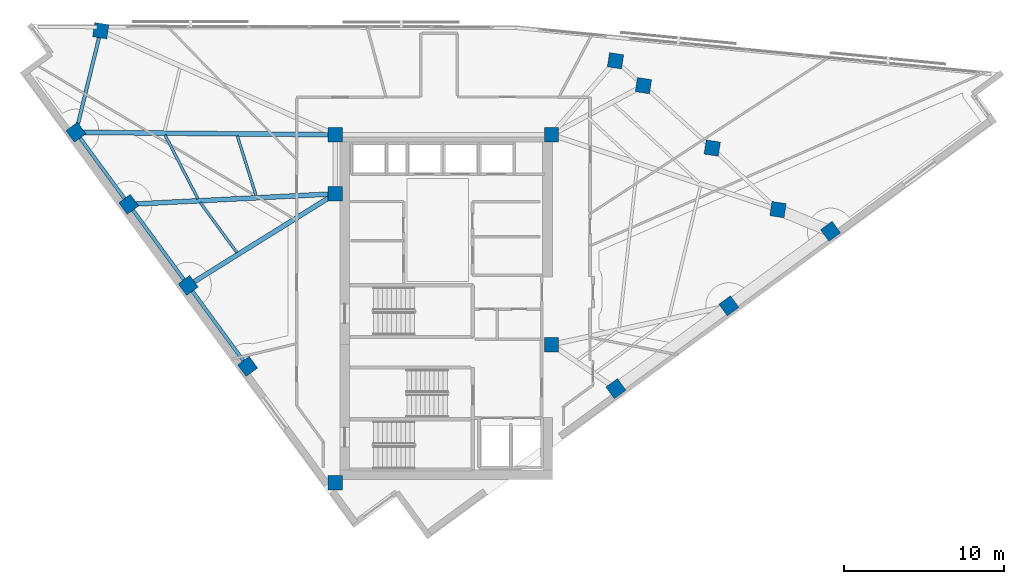
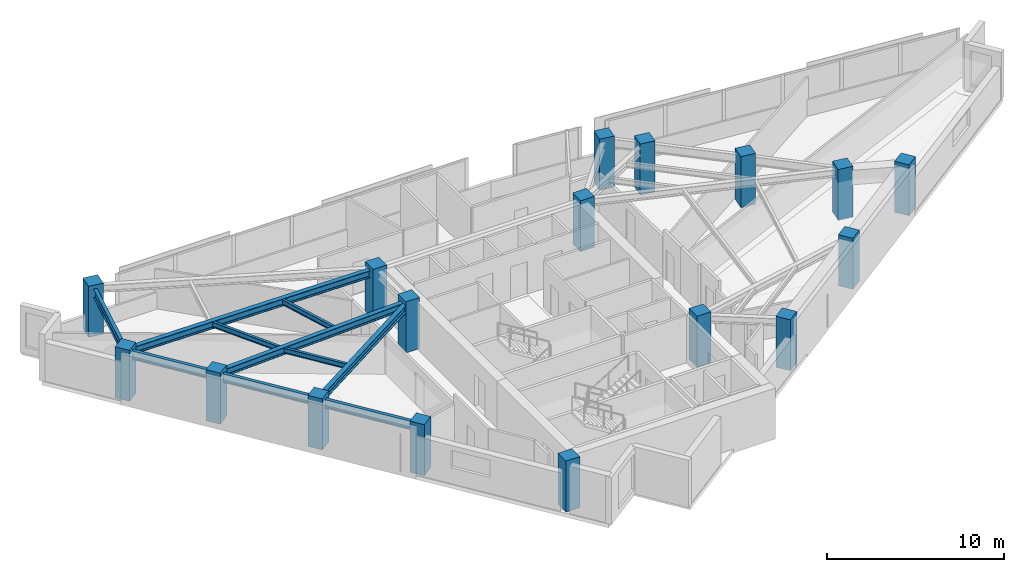
# One storey, part 1 of 14: 17 columns, 10 beams.
"""IFC4 building model written with IfcOpenShell, lengths in metres."""

from ifc_helpers import new_model, si_unit, direction, frame, origin, origin_2d, place, context, subcontext, project, spatial, rectangle, i_section, extrude, material, material_profile, profile_set, type_object, element, save


model = new_model("IFC4")

# Units and contexts
model_context = context("Model", 3, precision=1e-05, world=origin(), true_north=direction((0.0, 1.0)))
body_context = subcontext(model_context, "Body", "Model", "MODEL_VIEW")
ifc_project = project(units=[si_unit("LENGTHUNIT", "METRE"), si_unit("AREAUNIT", "SQUARE_METRE"), si_unit("VOLUMEUNIT", "CUBIC_METRE"), si_unit("PLANEANGLEUNIT", "RADIAN"), si_unit("MASSUNIT", "GRAM", prefix="KILO")], contexts=[model_context])

# Site, building, storey
site_placement = place(None, origin())
site = spatial("IfcSite", under=ifc_project, at=site_placement, CompositionType="ELEMENT")
building_placement = place(site_placement, origin())
building = spatial("IfcBuilding", under=site, at=building_placement, Name="Narakoshi Arena Tower", CompositionType="ELEMENT")
storey_placement = place(building_placement, frame((0.0, 0.0, 236.10009765625)))
storey = spatial("IfcBuildingStorey", under=building, at=storey_placement, Name="L64", CompositionType="ELEMENT", Elevation=236.10009765625)

# Columns
ifc_material_1 = material(Name="Concrete C50/60", Category="concrete")
ifc_material_profile_1 = material_profile(ifc_material_1, rectangle(XDim=0.89990234375, YDim=0.89990234375, at=origin_2d()), Name="RC900x900")
ifc_profile_set_1 = profile_set([ifc_material_profile_1], Name="Concrete C50/60")
column_type = type_object("IfcColumnType", Name="COL-RC900", PredefinedType="COLUMN", material=ifc_profile_set_1)
for number, where, z_axis, x_axis, name in (
    (1, (72.0, 34.699951171875, 0.0), (0.0, 0.0, 1.0), (1.0, 0.0, 0.0), "L64 Core Structural Column CC1"),
    (2, (85.550048828125, 43.35009765625, 0.0), (0.0, 0.0, 1.0), (1.0, 0.0, 0.0), "L64 Core Structural Column CC3"),
    (3, (72.0, 52.800048828125, 0.0), (0.0, 0.0, 1.0), (1.0, 0.0, 0.0), "L64 Core Structural Column CC4"),
    (4, (72.0, 56.5, 0.0), (0.0, 0.0, 1.0), (1.0, 0.0, 0.0), "L64 Core Structural Column CC5"),
    (5, (85.550048828125, 56.5, 0.0), (0.0, 0.0, 1.0), (1.0, 0.0, 0.0), "L64 Core Structural Column CC6"),
    (6, (89.58642578125, 40.594482421875, 0.0), (0.0, 0.0, 1.0), (0.806444604267, 0.591309648364, 0.0), "L64 Tower Perimeter Column TC01"),
    (7, (96.663330078125, 45.783447265625, 0.0), (0.0, 0.0, 1.0), (0.806444604267, 0.591309648364, 0.0), "L64 Tower Perimeter Column TC02"),
    (8, (103.032470703125, 50.45361328125, 0.0), (0.0, 0.0, 1.0), (0.806444604267, 0.591309648364, 0.0), "L64 Tower Perimeter Column TC03"),
    (9, (99.74267578125, 51.80712890625, 0.0), (0.0, 0.0, 1.0), (0.15212338619, 0.988361510468, 0.0), "L64 Tower Perimeter Column TC05"),
    (10, (95.619384765625, 55.665283203125, 0.0), (0.0, 0.0, 1.0), (0.15212338619, 0.988361510468, 0.0), "L64 Tower Perimeter Column TC06"),
    (11, (91.311279296875, 59.576416015625, 0.0), (0.0, 0.0, 1.0), (0.15212338619, 0.988361510468, 0.0), "L64 Tower Perimeter Column TC07"),
    (12, (89.5615234375, 61.134765625, 0.0), (0.0, 0.0, 1.0), (0.15212338619, 0.988361510468, 0.0), "L64 Tower Perimeter Column TC08"),
    (13, (57.30908203125, 63.0205078125, 0.0), (0.0, 0.0, 1.0), (0.15212338619, 0.988361510468, 0.0), "L64 Tower Perimeter Column TC10"),
    (14, (55.75341796875, 56.654296875, 0.0), (0.0, 0.0, 1.0), (-0.591309648364, 0.806444604267, 0.0), "L64 Tower Perimeter Column TC13"),
    (15, (59.063232421875, 52.140380859375, 0.0), (0.0, 0.0, 1.0), (-0.591309648364, 0.806444604267, 0.0), "L64 Tower Perimeter Column TC14"),
    (16, (62.786865234375, 47.061767578125, 0.0), (0.0, 0.0, 1.0), (-0.591309648364, 0.806444604267, 0.0), "L64 Tower Perimeter Column TC15"),
    (17, (66.510498046875, 41.9833984375, 0.0), (0.0, 0.0, 1.0), (-0.591309648364, 0.806444604267, 0.0), "L64 Tower Perimeter Column TC16"),
):
    element("IfcColumn", number, at=place(storey_placement, frame(where, z_axis=z_axis, x_axis=x_axis)), inside=storey, type_object=column_type, Name=name, PredefinedType="COLUMN", context=body_context, shape_type="SweptSolid", body=[
        extrude(rectangle(XDim=0.89990234375, YDim=0.89990234375, at=origin_2d()), origin(), (0.0, 0.0, 1.0), 3.52001953125),
    ])

# Beams
ifc_material_2 = material(Name="Structural steel S355J2", Category="steel")
ifc_material_profile_2 = material_profile(ifc_material_2, i_section(OverallWidth=0.219970703125, OverallDepth=0.60009765625, WebThickness=0.011962890625, FlangeThickness=0.01904296875, FilletRadius=0.02392578125, at=origin_2d()), Name="IPE600")
ifc_profile_set_2 = profile_set([ifc_material_profile_2], Name="Structural steel S355J2")
beam_type_1 = type_object("IfcBeamType", Name="BM-EDGE-600", PredefinedType="BEAM", material=ifc_profile_set_2)
beam_1_placement = place(storey_placement, frame((57.30908203125, 63.0205078125, 2.9599609375), z_axis=(-0.237378097084, -0.971417335147, 0.0), x_axis=(0.971417335147, -0.237378097084, 0.0)))
element("IfcBeam", 18, at=beam_1_placement, inside=storey, type_object=beam_type_1, Name="L64 Perimeter Edge Girder 08", PredefinedType="BEAM", context=body_context, shape_type="SweptSolid", body=[
    extrude(i_section(OverallWidth=0.219970703125, OverallDepth=0.60009765625, WebThickness=0.011962890625, FlangeThickness=0.01904296875, FilletRadius=0.02392578125, at=origin_2d()), origin(), (0.0, 0.0, 1.0), 6.553466796875),
])
beam_2_placement = place(storey_placement, frame((55.75341796875, 56.654296875, 2.9599609375), z_axis=(0.591318280641, -0.806438274749, 0.0), x_axis=(0.806438274749, 0.591318280641, 0.0)))
element("IfcBeam", 19, at=beam_2_placement, inside=storey, type_object=beam_type_1, Name="L64 Perimeter Edge Girder 09", PredefinedType="BEAM", context=body_context, shape_type="SweptSolid", body=[
    extrude(i_section(OverallWidth=0.219970703125, OverallDepth=0.60009765625, WebThickness=0.011962890625, FlangeThickness=0.01904296875, FilletRadius=0.02392578125, at=origin_2d()), origin(), (0.0, 0.0, 1.0), 5.597412109375),
])
for number, where, z_axis, x_axis, name in (
    (20, (59.063232421875, 52.140380859375, 2.9599609375), (0.591293071807, -0.80645675844, 0.0), (0.80645675844, 0.591293071807, 0.0), "L64 Perimeter Edge Girder 10"),
    (21, (62.786865234375, 47.061767578125, 2.9599609375), (0.59131155895, -0.806443203364, 0.0), (0.806443203364, 0.59131155895, 0.0), "L64 Perimeter Edge Girder 11"),
):
    element("IfcBeam", number, at=place(storey_placement, frame(where, z_axis=z_axis, x_axis=x_axis)), inside=storey, type_object=beam_type_1, Name=name, PredefinedType="BEAM", context=body_context, shape_type="SweptSolid", body=[
        extrude(i_section(OverallWidth=0.219970703125, OverallDepth=0.60009765625, WebThickness=0.011962890625, FlangeThickness=0.01904296875, FilletRadius=0.02392578125, at=origin_2d()), origin(), (0.0, 0.0, 1.0), 6.29736328125),
    ])
ifc_material_profile_3 = material_profile(ifc_material_2, i_section(OverallWidth=0.300048828125, OverallDepth=0.5, WebThickness=0.014404296875, FlangeThickness=0.028076171875, FilletRadius=0.027099609375, at=origin_2d()), Name="HE500B")
ifc_profile_set_3 = profile_set([ifc_material_profile_3], Name="Structural steel S355J2")
beam_type_2 = type_object("IfcBeamType", Name="BM-PRI-500", PredefinedType="BEAM", material=ifc_profile_set_3)
beam_3_placement = place(storey_placement, frame((72.0, 56.5, 3.010009765625), z_axis=(-0.999954904742, 0.009496761636, 0.0), x_axis=(-0.009496761636, -0.999954904742, 0.0)))
element("IfcBeam", 22, at=beam_3_placement, inside=storey, type_object=beam_type_2, Name="L64 Radial Primary Floor Girder 09", PredefinedType="BEAM", context=body_context, shape_type="SweptSolid", body=[
    extrude(i_section(OverallWidth=0.300048828125, OverallDepth=0.5, WebThickness=0.014404296875, FlangeThickness=0.028076171875, FilletRadius=0.027099609375, at=origin_2d()), origin(), (0.0, 0.0, 1.0), 16.247314453125),
])
beam_4_placement = place(storey_placement, frame((72.0, 52.800048828125, 3.010009765625), z_axis=(-0.998702452309, -0.050925551079, 0.0), x_axis=(0.050925551079, -0.998702452309, 0.0)))
element("IfcBeam", 23, at=beam_4_placement, inside=storey, type_object=beam_type_2, Name="L64 Radial Primary Floor Girder 10", PredefinedType="BEAM", context=body_context, shape_type="SweptSolid", body=[
    extrude(i_section(OverallWidth=0.300048828125, OverallDepth=0.5, WebThickness=0.014404296875, FlangeThickness=0.028076171875, FilletRadius=0.027099609375, at=origin_2d()), origin(), (0.0, 0.0, 1.0), 12.95361328125),
])
beam_5_placement = place(storey_placement, frame((72.0, 52.800048828125, 3.010009765625), z_axis=(-0.848822444764, -0.528678027976, 0.0), x_axis=(0.528678027976, -0.848822444764, 0.0)))
element("IfcBeam", 24, at=beam_5_placement, inside=storey, type_object=beam_type_2, Name="L64 Radial Primary Floor Girder 11", PredefinedType="BEAM", context=body_context, shape_type="SweptSolid", body=[
    extrude(i_section(OverallWidth=0.300048828125, OverallDepth=0.5, WebThickness=0.014404296875, FlangeThickness=0.028076171875, FilletRadius=0.027099609375, at=origin_2d()), origin(), (0.0, 0.0, 1.0), 10.85400390625),
])
ifc_material_profile_4 = material_profile(ifc_material_2, i_section(OverallWidth=0.169921875, OverallDepth=0.360107421875, WebThickness=0.008056640625, FlangeThickness=0.0126953125, FilletRadius=0.01806640625, at=origin_2d()), Name="IPE360")
ifc_profile_set_4 = profile_set([ifc_material_profile_4], Name="Structural steel S355J2")
beam_type_3 = type_object("IfcBeamType", Name="BM-SEC-360", PredefinedType="JOIST", material=ifc_profile_set_4)
beam_6_placement = place(storey_placement, frame((65.86669921875, 56.429931640625, 3.079833984375), z_axis=(0.299321233249, -0.954152398376, 0.0), x_axis=(0.954152398376, 0.299321233249, 0.0)))
element("IfcBeam", 25, at=beam_6_placement, inside=storey, type_object=beam_type_3, Name="L64 Composite Secondary Floor Joist 08", PredefinedType="JOIST", context=body_context, shape_type="SweptSolid", body=[
    extrude(i_section(OverallWidth=0.169921875, OverallDepth=0.360107421875, WebThickness=0.008056640625, FlangeThickness=0.0126953125, FilletRadius=0.01806640625, at=origin_2d()), origin(), (0.0, 0.0, 1.0), 3.93212890625),
])
beam_7_placement = place(storey_placement, frame((61.339111328125, 56.48193359375, 3.079833984375), z_axis=(0.458232175947, -0.888832533679, 0.0), x_axis=(0.888832533679, 0.458232175947, 0.0)))
element("IfcBeam", 26, at=beam_7_placement, inside=storey, type_object=beam_type_3, Name="L64 Composite Secondary Floor Joist 09", PredefinedType="JOIST", context=body_context, shape_type="SweptSolid", body=[
    extrude(i_section(OverallWidth=0.169921875, OverallDepth=0.360107421875, WebThickness=0.008056640625, FlangeThickness=0.0126953125, FilletRadius=0.01806640625, at=origin_2d()), origin(), (0.0, 0.0, 1.0), 4.497314453125),
])
beam_8_placement = place(storey_placement, frame((63.54150390625, 52.255615234375, 3.079833984375), z_axis=(0.591330981868, -0.806428961461, 0.0), x_axis=(0.806428961461, 0.591330981868, 0.0)))
element("IfcBeam", 27, at=beam_8_placement, inside=storey, type_object=beam_type_3, Name="L64 Composite Secondary Floor Joist 10", PredefinedType="JOIST", context=body_context, shape_type="SweptSolid", body=[
    extrude(i_section(OverallWidth=0.169921875, OverallDepth=0.360107421875, WebThickness=0.008056640625, FlangeThickness=0.0126953125, FilletRadius=0.01806640625, at=origin_2d()), origin(), (0.0, 0.0, 1.0), 3.88623046875),
])

save(model, "model.ifc")
